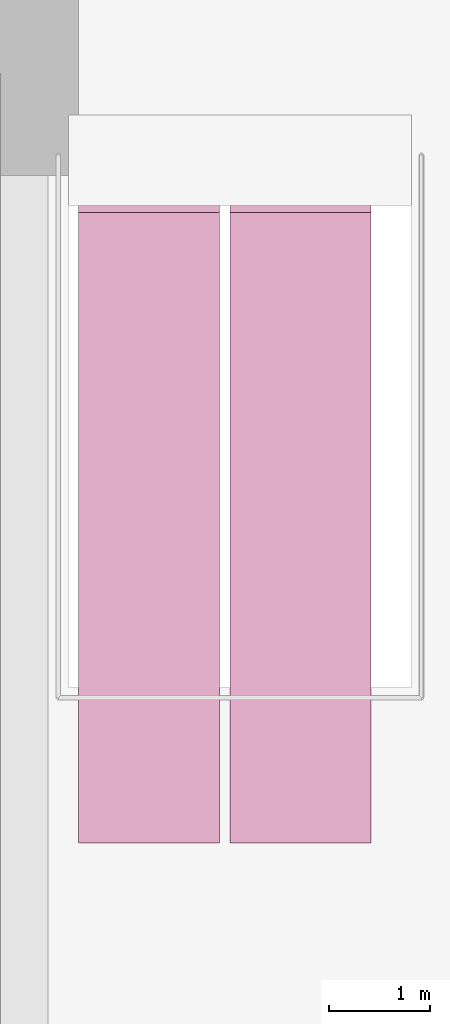
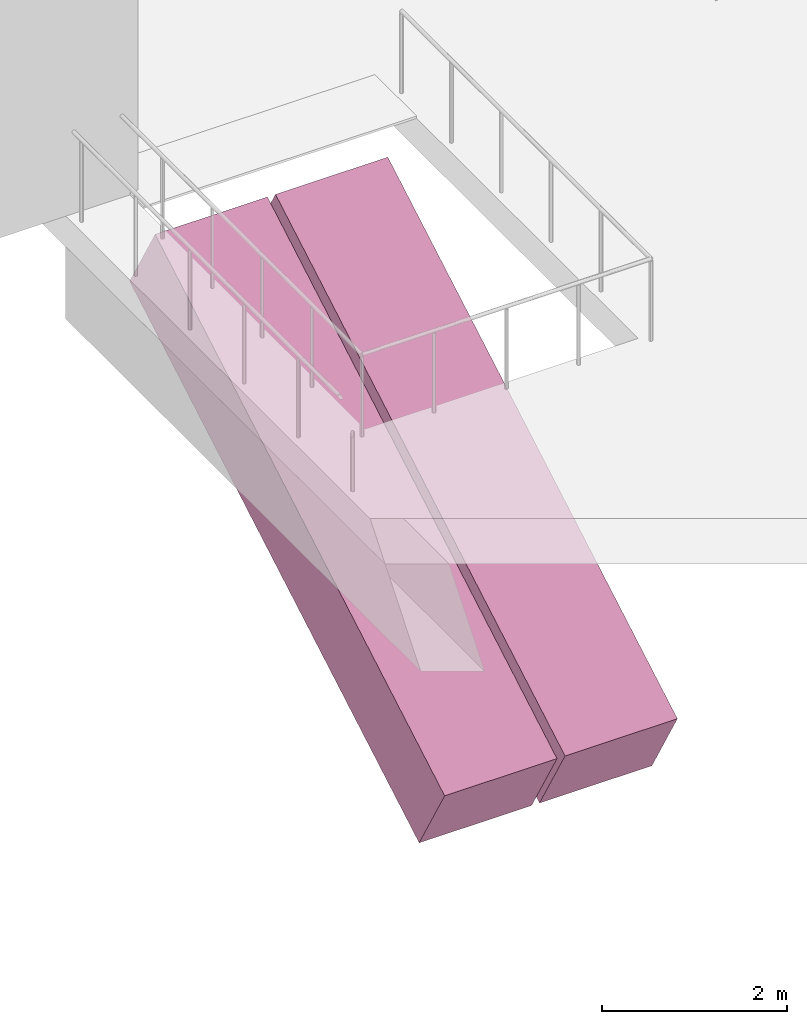
# One storey, part 19 of 19: 2 transport elements.
"""IFC4 building model written with IfcOpenShell, lengths in metres."""

from ifc_helpers import new_model, si_unit, direction, frame, origin, origin_2d, place, context, subcontext, project, spatial, rectangle, extrude, material, material_profile, profile_set, type_object, element, save


model = new_model("IFC4")

# Units and contexts
model_context = context("Model", 3, precision=1e-05, world=origin(), true_north=direction((0.0, 1.0)))
body_context = subcontext(model_context, "Body", "Model", "MODEL_VIEW")
ifc_project = project(units=[si_unit("LENGTHUNIT", "METRE"), si_unit("AREAUNIT", "SQUARE_METRE"), si_unit("VOLUMEUNIT", "CUBIC_METRE"), si_unit("PLANEANGLEUNIT", "RADIAN"), si_unit("MASSUNIT", "GRAM", prefix="KILO")], contexts=[model_context])

# Site, building, storey
site_placement = place(None, origin())
site = spatial("IfcSite", under=ifc_project, at=site_placement, CompositionType="ELEMENT")
building_placement = place(site_placement, origin())
building = spatial("IfcBuilding", under=site, at=building_placement, Name="Brigalow Station Residences", CompositionType="ELEMENT")
storey_placement = place(building_placement, frame((0.0, 0.0, 11.0)))
storey = spatial("IfcBuildingStorey", under=building, at=storey_placement, Name="L02", CompositionType="ELEMENT", Elevation=11.0)

# Transport elements
ifc_material = material(Name="Stainless steel and galvanised steel truss", Category="steel")
ifc_material_profile = material_profile(ifc_material, rectangle(XDim=1.39990234375, YDim=1.10009765625, at=origin_2d()), Name="ESC1400x1100")
ifc_profile_set = profile_set([ifc_material_profile], Name="Stainless steel and galvanised steel truss")
transport_element_type = type_object("IfcTransportElementType", Name="ESCALATOR 1400 30 DEGREES", PredefinedType="ESCALATOR", material=ifc_profile_set)
for number, where, z_axis, x_axis, name in (
    (1, (46.60009765625, 34.5048828125, -0.804931640625), (0.0, -0.866000205233, -0.500043642631), (1.0, 0.0, 0.0), "Amenity escalator 1 (up)"),
    (2, (48.10009765625, 34.5048828125, -0.804931640625), (0.0, -0.866000205233, -0.500043642631), (1.0, 0.0, 0.0), "Amenity escalator 2 (down)"),
):
    element("IfcTransportElement", number, at=place(storey_placement, frame(where, z_axis=z_axis, x_axis=x_axis)), inside=storey, type_object=transport_element_type, Name=name, PredefinedType="ESCALATOR", context=body_context, shape_type="SweptSolid", body=[
        extrude(rectangle(XDim=1.39990234375, YDim=1.10009765625, at=origin_2d()), origin(), (0.0, 0.0, 1.0), 7.215576171875),
    ])

save(model, "model.ifc")
